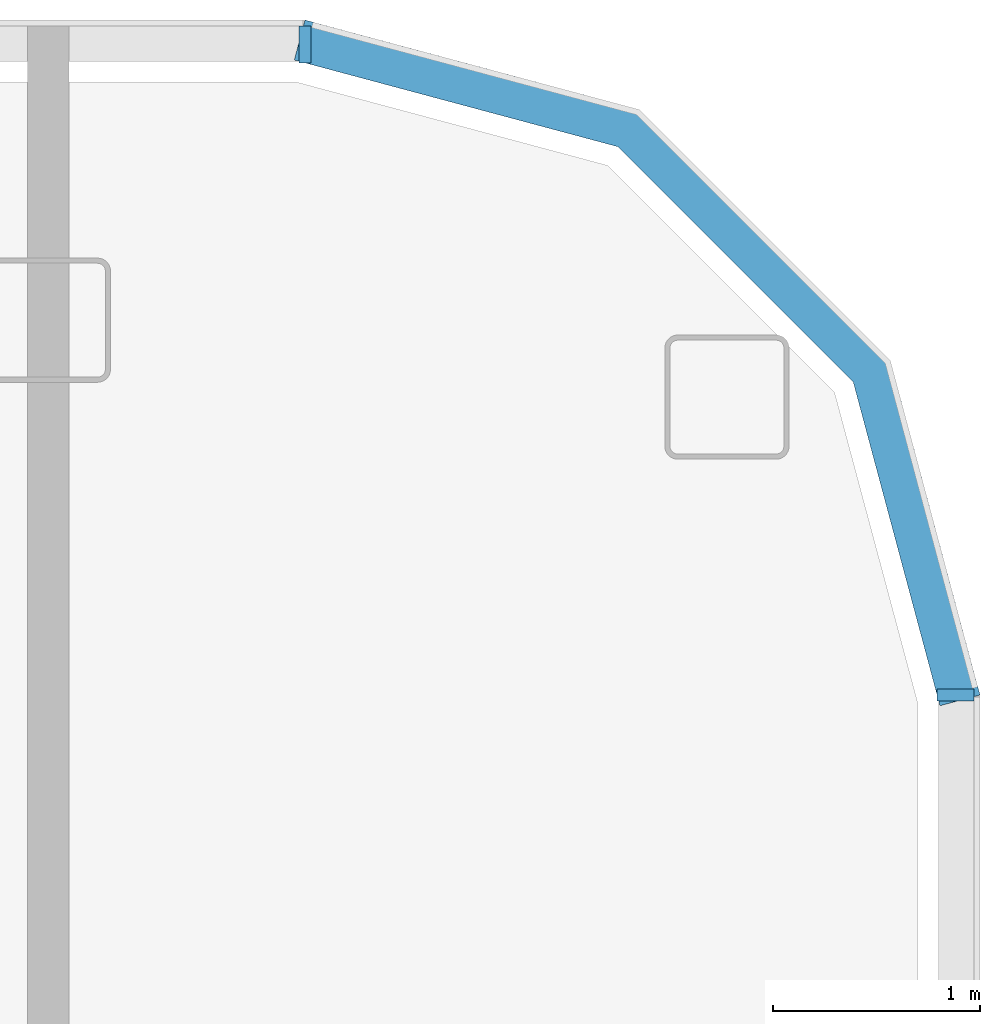
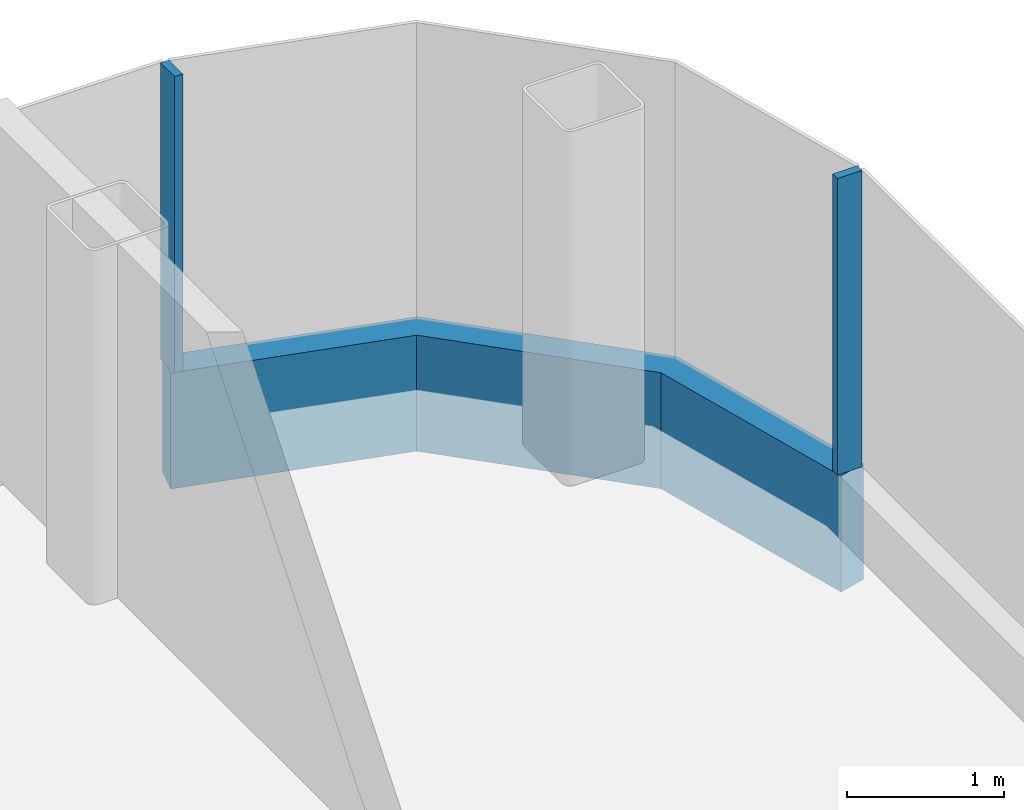
# One storey, part 11 of 26: 3 members, 3 elements without a shape of their own.
"""IFC4 building model written with IfcOpenShell, lengths in metres."""

import ifcopenshell
import ifcopenshell.guid

model = None  # the IFC model being written
_history = None  # IfcOwnerHistory: only IFC2X3 demands one
_inside = {}  # id of a spatial element -> (the spatial element, [elements in it])
_under = {}  # id of a project, library or spatial element -> (it, [spatial elements below it])
_declared = {}  # id of a project -> (the project, [libraries it declares])
_typed = {}  # id of a type object -> (the type object, [elements of that type])
_made_of = {}  # id of a material, layer set ... -> (it, [elements and type objects made of it])


def new_model(schema):
    """Start an empty IFC model of exactly this schema.

    Asked for "IFC4X3", IfcOpenShell would pick the latest addendum, in which some entities
    have other attributes; the version numbers below select the first issue.
    IFC2X3 requires an IfcOwnerHistory on every rooted entity: one is made here for all.
    """
    global model, _history
    if schema == "IFC4X3":
        model = ifcopenshell.file(schema_version=(4, 3, 0, 0))
    else:
        model = ifcopenshell.file(schema=schema)
    _inside.clear()
    _under.clear()
    _declared.clear()
    _typed.clear()
    _made_of.clear()
    _history = None
    if model.schema == "IFC2X3":
        org = make("IfcOrganization", Name="unknown")
        user = make(
            "IfcPersonAndOrganization",
            ThePerson=make("IfcPerson", FamilyName="unknown"),
            TheOrganization=org,
        )
        app = make(
            "IfcApplication",
            ApplicationDeveloper=org,
            Version="unknown",
            ApplicationFullName="unknown",
            ApplicationIdentifier="unknown",
        )
        _history = make(
            "IfcOwnerHistory",
            OwningUser=user,
            OwningApplication=app,
            ChangeAction="ADDED",
            CreationDate=0,
        )
    return model


def make(cls, **values):
    """One entity of the class cls with the attributes given. An attribute that is None is left unset."""
    return model.create_entity(
        cls, **{name: value for name, value in values.items() if value is not None}
    )


def rooted(cls, **values):
    """An entity with a GlobalId (a new one), such as an element, a storey or a relation."""
    return make(cls, GlobalId=ifcopenshell.guid.new(), OwnerHistory=_history, **values)


def si_unit(unit_type, name, prefix=None):
    """IfcSIUnit, for example si_unit("LENGTHUNIT", "METRE", prefix="MILLI")."""
    return make("IfcSIUnit", UnitType=unit_type, Prefix=prefix, Name=name)


def assignment(units):
    """IfcUnitAssignment: the units of a project."""
    return None if units is None else make("IfcUnitAssignment", Units=units)


def point(xyz):
    """IfcCartesianPoint."""
    return None if xyz is None else make("IfcCartesianPoint", Coordinates=xyz)


def direction(xyz):
    """IfcDirection."""
    return None if xyz is None else make("IfcDirection", DirectionRatios=xyz)


def frame(location, z_axis=None, x_axis=None):
    """IfcAxis2Placement3D, a coordinate frame: its origin and axes. An axis left out is left unset."""
    return make(
        "IfcAxis2Placement3D",
        Location=point(location),
        Axis=direction(z_axis),
        RefDirection=direction(x_axis),
    )


def frame_2d(location, x_axis=None):
    """IfcAxis2Placement2D, a coordinate frame in the plane: its origin and x axis."""
    return make(
        "IfcAxis2Placement2D", Location=point(location), RefDirection=direction(x_axis)
    )


def origin():
    """The frame at (0, 0, 0) with its axes left unset."""
    return frame((0.0, 0.0, 0.0))


def origin_2d():
    """The frame at (0, 0) in the plane with its x axis left unset."""
    return frame_2d((0.0, 0.0))


def place(relative_to, where):
    """IfcLocalPlacement: puts the frame where relative to a parent placement (None: the world)."""
    return make(
        "IfcLocalPlacement", PlacementRelTo=relative_to, RelativePlacement=where
    )


def context(
    kind, dimensions, precision=None, world=None, true_north=None, identifier=None
):
    """IfcGeometricRepresentationContext, for example the 3D "Model" context."""
    return make(
        "IfcGeometricRepresentationContext",
        ContextIdentifier=identifier,
        ContextType=kind,
        CoordinateSpaceDimension=dimensions,
        Precision=precision,
        WorldCoordinateSystem=world,
        TrueNorth=true_north,
    )


def subcontext(parent, identifier, kind, view, scale=None):
    """IfcGeometricRepresentationSubContext, for example "Body" below "Model"."""
    return make(
        "IfcGeometricRepresentationSubContext",
        ContextIdentifier=identifier,
        ContextType=kind,
        ParentContext=parent,
        TargetScale=scale,
        TargetView=view,
    )


def project(units=None, contexts=None):
    """IfcProject with its units and contexts."""
    return rooted(
        "IfcProject",
        Name="project",
        RepresentationContexts=contexts,
        UnitsInContext=assignment(units),
    )


def spatial(cls, under=None, at=None, **own):
    """A site, building, storey or space (cls), placed at a placement, below another one or the project."""
    s = rooted(cls, ObjectPlacement=at, **own)
    if under is not None:
        _under.setdefault(under.id(), (under, []))[1].append(s)
    return s


def polyline(points):
    """IfcPolyline through the points."""
    return make("IfcPolyline", Points=[point(p) for p in points])


def profile(cls, at=None, kind="AREA", **sizes):
    """A parametric profile (cls). Its sizes go by their IFC names, for example OverallWidth=200.0."""
    return make(cls, ProfileType=kind, Position=at, **sizes)


def rectangle(**sizes):
    """IfcRectangleProfileDef."""
    return profile("IfcRectangleProfileDef", **sizes)


def outline(outer, holes=None, kind="AREA"):
    """IfcArbitraryClosedProfileDef: a profile drawn as a closed curve; with holes, ...WithVoids."""
    if holes is None:
        return make("IfcArbitraryClosedProfileDef", ProfileType=kind, OuterCurve=outer)
    return make(
        "IfcArbitraryProfileDefWithVoids",
        ProfileType=kind,
        OuterCurve=outer,
        InnerCurves=holes,
    )


def extrude(swept, where, along, depth):
    """IfcExtrudedAreaSolid: the profile swept, set in the frame where, extruded along a direction by depth."""
    return make(
        "IfcExtrudedAreaSolid",
        SweptArea=swept,
        Position=where,
        ExtrudedDirection=direction(along),
        Depth=depth,
    )


def shape(context_of_items, identifier, shape_type, items):
    """IfcShapeRepresentation: the items that make up one representation, for example the "Body"."""
    return make(
        "IfcShapeRepresentation",
        ContextOfItems=context_of_items,
        RepresentationIdentifier=identifier,
        RepresentationType=shape_type,
        Items=items,
    )


def material(Name=None, Category=None):
    """IfcMaterial."""
    return make("IfcMaterial", Name=Name, Category=Category)


def layer(
    of_material, thickness, ventilated=None, Name=None, Category=None, Priority=None
):
    """IfcMaterialLayer: one layer of a wall or slab, of a material (None: an air gap)."""
    return make(
        "IfcMaterialLayer",
        Material=of_material,
        LayerThickness=thickness,
        IsVentilated=ventilated,
        Name=Name,
        Category=Category,
        Priority=Priority,
    )


def layer_set(layers, Name=None):
    """IfcMaterialLayerSet."""
    return make("IfcMaterialLayerSet", MaterialLayers=layers, LayerSetName=Name)


def material_profile(
    of_material, cross_section, Name=None, Category=None, Priority=None
):
    """IfcMaterialProfile: a cross section and its material."""
    return make(
        "IfcMaterialProfile",
        Name=Name,
        Material=of_material,
        Profile=cross_section,
        Priority=Priority,
        Category=Category,
    )


def profile_set(profiles, Name=None, composite=None):
    """IfcMaterialProfileSet."""
    return make(
        "IfcMaterialProfileSet",
        Name=Name,
        MaterialProfiles=profiles,
        CompositeProfile=composite,
    )


def made_of(thing, what):
    """Note that an element or type object is made of a material, layer set ...; save() writes the relation."""
    if what is not None:
        _made_of.setdefault(what.id(), (what, []))[1].append(thing)
    return thing


def type_object(cls, material=None, **own):
    """A type object (cls), such as IfcWallType, which elements share."""
    return made_of(rooted(cls, **own), material)


def element(
    cls,
    number,
    at=None,
    inside=None,
    cuts=None,
    type_object=None,
    material=None,
    context=None,
    identifier="Body",
    shape_type=None,
    held_by="IfcProductDefinitionShape",
    body=None,
    shapes=None,
    **own,
):
    """One element of the class cls, such as IfcWall. Its Tag is "e" and its number.

    at: its placement. inside: the storey or other place that contains it. cuts: it is an
    opening in that element (IfcRelVoidsElement). A single representation is given by context,
    identifier, shape_type and body (its items); several are given by shapes. held_by: the class
    of the entity that holds the representations. save() writes the other relations.
    """
    e = rooted(cls, Tag="e%d" % number, ObjectPlacement=at, **own)
    if body is not None:
        shapes = [shape(context, identifier, shape_type, body)]
    if shapes is not None:
        e.Representation = make(held_by, Representations=shapes)
    if inside is not None:
        _inside.setdefault(inside.id(), (inside, []))[1].append(e)
    if cuts is not None:
        rooted(
            "IfcRelVoidsElement", RelatingBuildingElement=cuts, RelatedOpeningElement=e
        )
    if type_object is not None:
        _typed.setdefault(type_object.id(), (type_object, []))[1].append(e)
    return made_of(e, material)


def aggregate(whole, parts):
    """IfcRelAggregates: a whole, such as a stair, and the parts it consists of."""
    return rooted("IfcRelAggregates", RelatingObject=whole, RelatedObjects=parts)


def save(model, path):
    """Write the relations noted so far, then the file.

    IfcRelAggregates (storeys below a building ...), IfcRelContainedInSpatialStructure (elements
    in a storey), IfcRelDefinesByType, IfcRelAssociatesMaterial and IfcRelDeclares: one each for
    every whole, place, type object, material and project.
    """
    for whole, parts in _under.values():
        aggregate(whole, parts)
    for where, things in _inside.values():
        rooted(
            "IfcRelContainedInSpatialStructure",
            RelatedElements=things,
            RelatingStructure=where,
        )
    for kind, things in _typed.values():
        rooted("IfcRelDefinesByType", RelatedObjects=things, RelatingType=kind)
    for what, things in _made_of.values():
        rooted("IfcRelAssociatesMaterial", RelatedObjects=things, RelatingMaterial=what)
    for by, libraries in _declared.values():
        rooted("IfcRelDeclares", RelatingContext=by, RelatedDefinitions=libraries)
    model.write(path)


model = new_model("IFC4")

# Units and contexts
model_context = context("Model", 3, precision=1e-05, world=origin(), true_north=direction((0.0, 1.0)))
body_context = subcontext(model_context, "Body", "Model", "MODEL_VIEW")
ifc_project = project(units=[si_unit("LENGTHUNIT", "METRE"), si_unit("AREAUNIT", "SQUARE_METRE"), si_unit("VOLUMEUNIT", "CUBIC_METRE"), si_unit("PLANEANGLEUNIT", "RADIAN"), si_unit("MASSUNIT", "GRAM", prefix="KILO")], contexts=[model_context])

# Site, building, storey
site_placement = place(None, origin())
site = spatial("IfcSite", under=ifc_project, at=site_placement, CompositionType="ELEMENT")
building_placement = place(site_placement, origin())
building = spatial("IfcBuilding", under=site, at=building_placement, Name="Hakoniwa Tower and Hamabe Station Hall", CompositionType="ELEMENT")
storey_placement = place(building_placement, frame((0.0, 0.0, 196.199951171875)))
storey = spatial("IfcBuildingStorey", under=building, at=storey_placement, Name="L55", CompositionType="ELEMENT", Elevation=196.199951171875)

# Curtain wall, member
ifc_material_1 = material(Name="Dark low-e laminated glass", Category="glass")
ifc_layer = layer(ifc_material_1, 0.199951171875)
ifc_layer_set = layer_set([ifc_layer], Name="CW-1 UNITISED GUEST")
curtain_wall_type = type_object("IfcCurtainWallType", Name="CW-1 UNITISED GUEST", PredefinedType="NOTDEFINED", material=ifc_layer_set)
curtain_wall_1_placement = place(storey_placement, origin())
curtain_wall_1 = element("IfcCurtainWall", 1, at=curtain_wall_1_placement, inside=storey, type_object=curtain_wall_type, Name="CW-1 curtain wall", PredefinedType="NOTDEFINED")
ifc_material_2 = material(Name="Aluminium 6063-T5 black anodised", Category="aluminium")
ifc_material_profile_1 = material_profile(ifc_material_2, rectangle(XDim=0.199951171875, YDim=0.89990234375, at=origin_2d()), Name="CW SLAB-EDGE BAND 900X200")
ifc_profile_set_1 = profile_set([ifc_material_profile_1], Name="Aluminium 6063-T5 black anodised")
member_type_1 = type_object("IfcMemberType", Name="CW SLAB-EDGE BAND 900X200", PredefinedType="USERDEFINED", material=ifc_profile_set_1)
member_1_placement = place(storey_placement, frame((0.0, 0.0, -0.550048828125)))
member_1 = element("IfcMember", 2, at=member_1_placement, type_object=member_type_1, Name="CW-1 transom", ObjectType="TRANSOM", PredefinedType="USERDEFINED", context=body_context, shape_type="SweptSolid", body=[
    extrude(outline(polyline([(38.10009765625, 17.28955078125), (37.6669921875, 18.9052734375), (36.455322265625, 20.116943359375), (34.839599609375, 20.550048828125), (34.787841796875, 20.35693359375), (36.351806640625, 19.937744140625), (37.48779296875, 18.8017578125), (37.90673828125, 17.23779296875), (38.10009765625, 17.28955078125)])), origin(), (0.0, 0.0, 1.0), 0.900146484375),
])
aggregate(curtain_wall_1, [member_1])

curtain_wall_2_placement = place(storey_placement, origin())
curtain_wall_2 = element("IfcCurtainWall", 3, at=curtain_wall_2_placement, inside=storey, type_object=curtain_wall_type, Name="CW-1 curtain wall", PredefinedType="NOTDEFINED")
ifc_material_3 = material(Name="Aluminium 6063-T5 black anodised", Category="aluminium")
ifc_material_profile_2 = material_profile(ifc_material_3, rectangle(XDim=0.06005859375, YDim=0.179931640625, at=origin_2d()), Name="CW-1 MULLION 60X180")
ifc_profile_set_2 = profile_set([ifc_material_profile_2], Name="Aluminium 6063-T5 black anodised")
member_type_2 = type_object("IfcMemberType", Name="CW-1 MULLION 60X180", PredefinedType="MULLION", material=ifc_profile_set_2)
member_2_placement = place(storey_placement, frame((37.98193359375, 17.28955078125, 0.35009765625), z_axis=(0.0, 0.0, 1.0), x_axis=(0.0, 1.0, 0.0)))
member_2 = element("IfcMember", 4, at=member_2_placement, type_object=member_type_2, Name="CW-1 mullion", PredefinedType="MULLION", context=body_context, shape_type="SweptSolid", body=[
    extrude(rectangle(XDim=0.06005859375, YDim=0.179931640625, at=origin_2d()), origin(), (0.0, 0.0, 1.0), 2.300048828125),
])
aggregate(curtain_wall_2, [member_2])

curtain_wall_3_placement = place(storey_placement, origin())
curtain_wall_3 = element("IfcCurtainWall", 5, at=curtain_wall_3_placement, inside=storey, type_object=curtain_wall_type, Name="CW-1 curtain wall", PredefinedType="NOTDEFINED")
member_3_placement = place(storey_placement, frame((34.839599609375, 20.431884765625, 0.35009765625), z_axis=(0.0, 0.0, 1.0), x_axis=(-1.0, 0.0, 0.0)))
member_3 = element("IfcMember", 6, at=member_3_placement, type_object=member_type_2, Name="CW-1 mullion", PredefinedType="MULLION", context=body_context, shape_type="SweptSolid", body=[
    extrude(rectangle(XDim=0.06005859375, YDim=0.179931640625, at=origin_2d()), origin(), (0.0, 0.0, 1.0), 2.300048828125),
])
aggregate(curtain_wall_3, [member_3])

save(model, "model.ifc")
